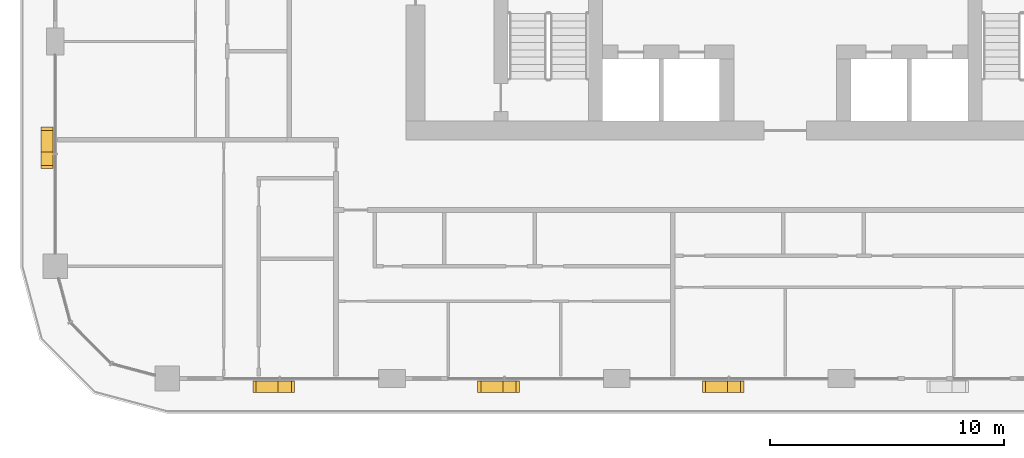
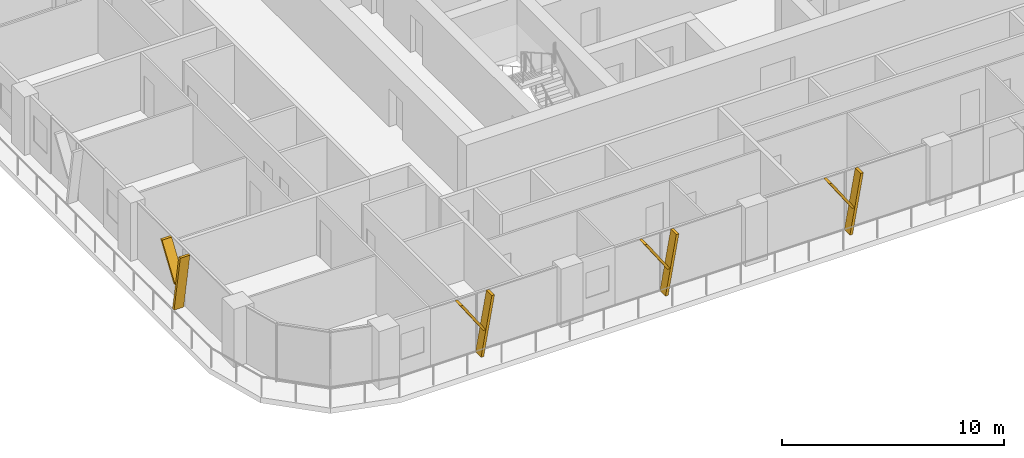
# One storey, part 16 of 22: 8 shading devices.
"""IFC4 building model written with IfcOpenShell, lengths in metres."""

from ifc_helpers import new_model, si_unit, direction, frame, origin, place, context, subcontext, project, spatial, polyline, outline, extrude, material, type_object, element, save


model = new_model("IFC4")

# Units and contexts
model_context = context("Model", 3, precision=1e-05, world=origin(), true_north=direction((0.0, 1.0)))
body_context = subcontext(model_context, "Body", "Model", "MODEL_VIEW")
ifc_project = project(units=[si_unit("LENGTHUNIT", "METRE"), si_unit("AREAUNIT", "SQUARE_METRE"), si_unit("VOLUMEUNIT", "CUBIC_METRE"), si_unit("PLANEANGLEUNIT", "RADIAN"), si_unit("MASSUNIT", "GRAM", prefix="KILO")], contexts=[model_context])

# Site, building, storey
site_placement = place(None, origin())
site = spatial("IfcSite", under=ifc_project, at=site_placement, CompositionType="ELEMENT")
building_placement = place(site_placement, origin())
building = spatial("IfcBuilding", under=site, at=building_placement, Name="Madar Terraces", CompositionType="ELEMENT")
storey_placement = place(building_placement, frame((0.0, 0.0, 119.10009765625)))
storey = spatial("IfcBuildingStorey", under=building, at=storey_placement, Name="L30", CompositionType="ELEMENT", Elevation=119.10009765625)

# Shading devices
ifc_material = material(Name="Aluminium, black anodised", Category="aluminium")
shading_device_type = type_object("IfcShadingDeviceType", Name="Facade fin blade 140 x 500", PredefinedType="USERDEFINED", material=ifc_material)
shading_device_1_placement = place(storey_placement, frame((9.530029296875, 4.449951171875, 0.0), z_axis=(0.0, 0.0, 1.0), x_axis=(1.0, 0.0, 0.0)))
element("IfcShadingDevice", 1, at=shading_device_1_placement, inside=storey, type_object=shading_device_type, Name="FIN L30 S1", ObjectType="FIN", PredefinedType="USERDEFINED", context=body_context, shape_type="SweptSolid", body=[
    extrude(outline(polyline([(0.0, 0.0), (0.139892578125, 0.0), (0.704345703125, 3.199951171875), (0.564208984375, 3.199951171875), (0.0, 0.0)])), frame((0.0, 0.25, 0.0), z_axis=(0.0, -1.0, 0.0), x_axis=(1.0, 0.0, 0.0)), (0.0, 0.0, 1.0), 0.5),
])
shading_device_2_placement = place(storey_placement, frame((9.643798828125, 4.449951171875, 1.43994140625), z_axis=(0.0, 0.0, 1.0), x_axis=(1.0, 0.0, 0.0)))
element("IfcShadingDevice", 2, at=shading_device_2_placement, inside=storey, type_object=shading_device_type, Name="FIN L30 S1 branch", ObjectType="FIN", PredefinedType="USERDEFINED", context=body_context, shape_type="SweptSolid", body=[
    extrude(outline(polyline([(0.0, 0.0), (0.14013671875, 0.0), (-1.049560546875, 1.760009765625), (-1.189697265625, 1.760009765625), (0.0, 0.0)])), frame((0.0, 0.25, 0.0), z_axis=(0.0, -1.0, 0.0), x_axis=(1.0, 0.0, 0.0)), (0.0, 0.0, 1.0), 0.5),
])
shading_device_3_placement = place(storey_placement, frame((19.1298828125, 4.449951171875, 0.0), z_axis=(0.0, 0.0, 1.0), x_axis=(1.0, 0.0, 0.0)))
element("IfcShadingDevice", 3, at=shading_device_3_placement, inside=storey, type_object=shading_device_type, Name="FIN L30 S2", ObjectType="FIN", PredefinedType="USERDEFINED", context=body_context, shape_type="SweptSolid", body=[
    extrude(outline(polyline([(0.0, 0.0), (0.14013671875, 0.0), (0.704345703125, 3.199951171875), (0.564208984375, 3.199951171875), (0.0, 0.0)])), frame((0.0, 0.25, 0.0), z_axis=(0.0, -1.0, 0.0), x_axis=(1.0, 0.0, 0.0)), (0.0, 0.0, 1.0), 0.5),
])
shading_device_4_placement = place(storey_placement, frame((19.243896484375, 4.449951171875, 1.43994140625), z_axis=(0.0, 0.0, 1.0), x_axis=(1.0, 0.0, 0.0)))
element("IfcShadingDevice", 4, at=shading_device_4_placement, inside=storey, type_object=shading_device_type, Name="FIN L30 S2 branch", ObjectType="FIN", PredefinedType="USERDEFINED", context=body_context, shape_type="SweptSolid", body=[
    extrude(outline(polyline([(0.0, 0.0), (0.139892578125, 0.0), (-1.049560546875, 1.760009765625), (-1.189697265625, 1.760009765625), (0.0, 0.0)])), frame((0.0, 0.25, 0.0), z_axis=(0.0, -1.0, 0.0), x_axis=(1.0, 0.0, 0.0)), (0.0, 0.0, 1.0), 0.5),
])
shading_device_5_placement = place(storey_placement, frame((28.72998046875, 4.449951171875, 0.0), z_axis=(0.0, 0.0, 1.0), x_axis=(1.0, 0.0, 0.0)))
element("IfcShadingDevice", 5, at=shading_device_5_placement, inside=storey, type_object=shading_device_type, Name="FIN L30 S3", ObjectType="FIN", PredefinedType="USERDEFINED", context=body_context, shape_type="SweptSolid", body=[
    extrude(outline(polyline([(0.0, 0.0), (0.14013671875, 0.0), (0.704345703125, 3.199951171875), (0.564208984375, 3.199951171875), (0.0, 0.0)])), frame((0.0, 0.25, 0.0), z_axis=(0.0, -1.0, 0.0), x_axis=(1.0, 0.0, 0.0)), (0.0, 0.0, 1.0), 0.5),
])
shading_device_6_placement = place(storey_placement, frame((28.843994140625, 4.449951171875, 1.43994140625), z_axis=(0.0, 0.0, 1.0), x_axis=(1.0, 0.0, 0.0)))
element("IfcShadingDevice", 6, at=shading_device_6_placement, inside=storey, type_object=shading_device_type, Name="FIN L30 S3 branch", ObjectType="FIN", PredefinedType="USERDEFINED", context=body_context, shape_type="SweptSolid", body=[
    extrude(outline(polyline([(0.0, 0.0), (0.139892578125, 0.0), (-1.049560546875, 1.760009765625), (-1.189697265625, 1.760009765625), (0.0, 0.0)])), frame((0.0, 0.25, 0.0), z_axis=(0.0, -1.0, 0.0), x_axis=(1.0, 0.0, 0.0)), (0.0, 0.0, 1.0), 0.5),
])
shading_device_7_placement = place(storey_placement, frame((-0.35009765625, 14.469970703125, 0.0), z_axis=(0.0, 0.0, 1.0), x_axis=(0.0, -1.0, 0.0)))
element("IfcShadingDevice", 7, at=shading_device_7_placement, inside=storey, type_object=shading_device_type, Name="FIN L30 W4", ObjectType="FIN", PredefinedType="USERDEFINED", context=body_context, shape_type="SweptSolid", body=[
    extrude(outline(polyline([(0.0, 0.0), (0.139892578125, 0.0), (0.704345703125, 3.199951171875), (0.564208984375, 3.199951171875), (0.0, 0.0)])), frame((0.0, 0.25, 0.0), z_axis=(0.0, -1.0, 0.0), x_axis=(1.0, 0.0, 0.0)), (0.0, 0.0, 1.0), 0.5),
])
shading_device_8_placement = place(storey_placement, frame((-0.35009765625, 14.356201171875, 1.43994140625), z_axis=(0.0, 0.0, 1.0), x_axis=(0.0, -1.0, 0.0)))
element("IfcShadingDevice", 8, at=shading_device_8_placement, inside=storey, type_object=shading_device_type, Name="FIN L30 W4 branch", ObjectType="FIN", PredefinedType="USERDEFINED", context=body_context, shape_type="SweptSolid", body=[
    extrude(outline(polyline([(0.0, 0.0), (0.14013671875, 0.0), (-1.049560546875, 1.760009765625), (-1.189697265625, 1.760009765625), (0.0, 0.0)])), frame((0.0, 0.25, 0.0), z_axis=(0.0, -1.0, 0.0), x_axis=(1.0, 0.0, 0.0)), (0.0, 0.0, 1.0), 0.5),
])

save(model, "model.ifc")
